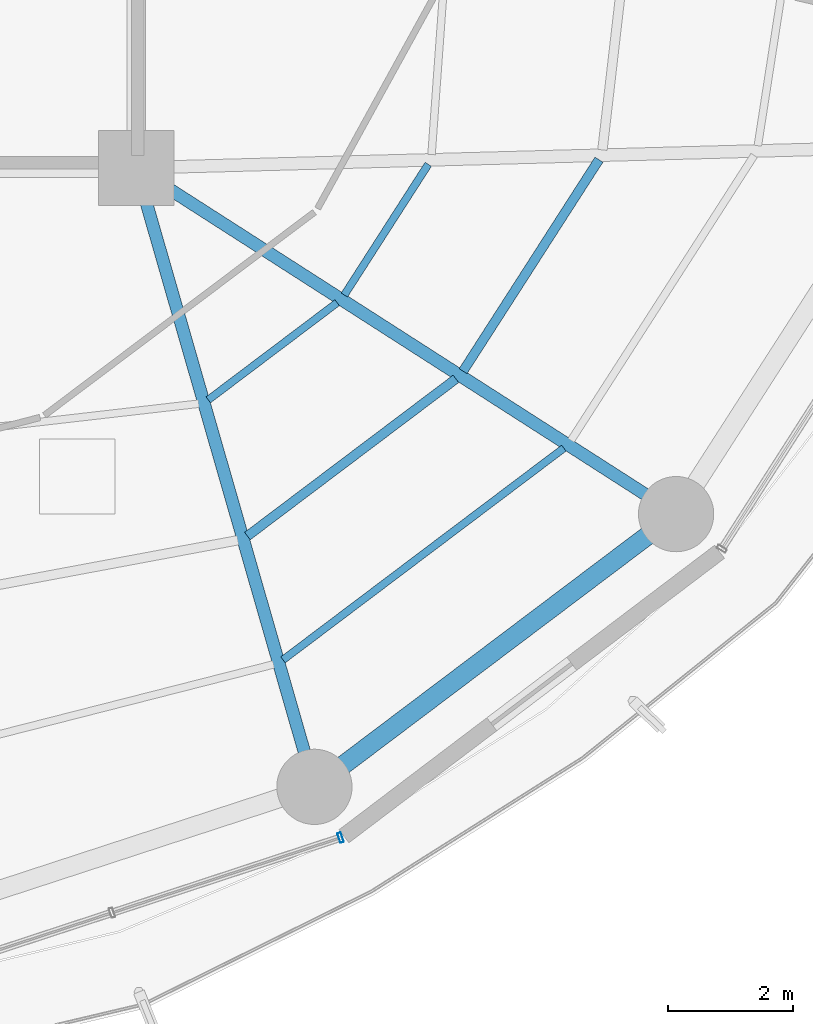
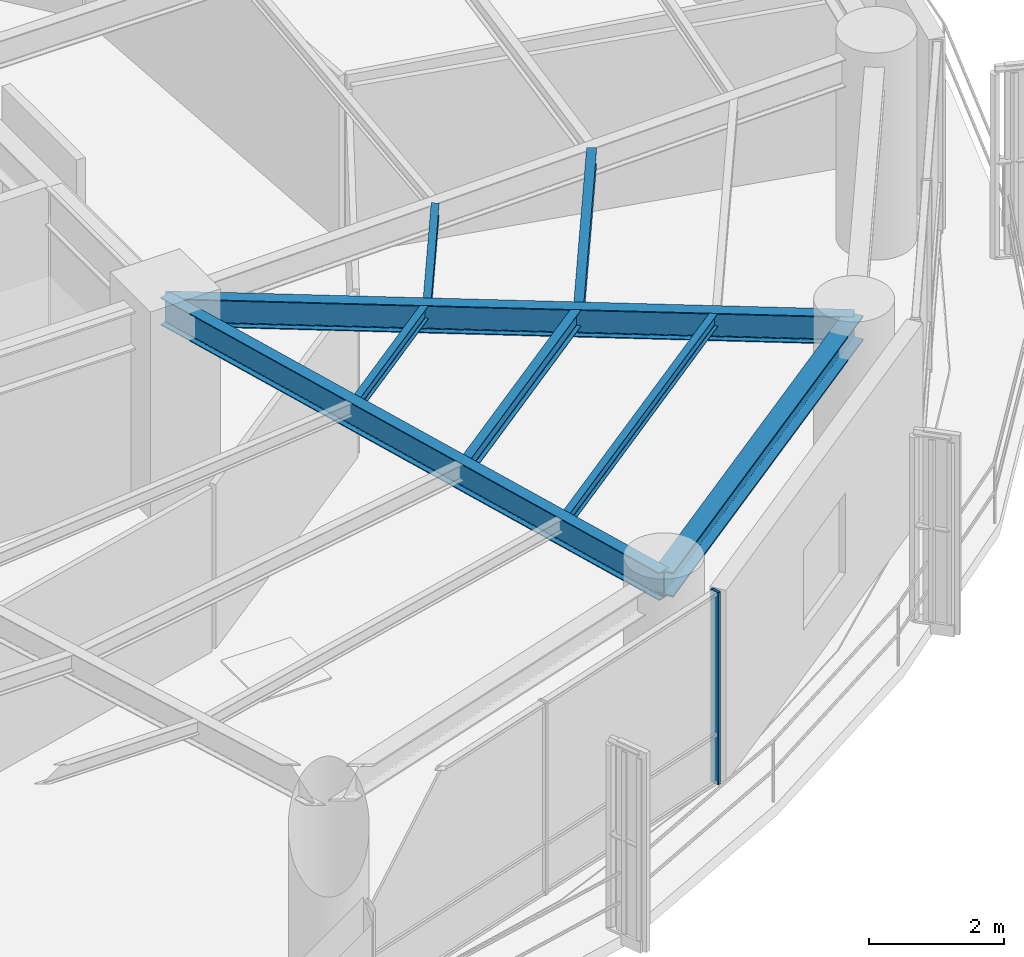
# One storey, part 10 of 27: 8 beams, 1 member, 1 element without a shape of its own.
"""IFC4 building model written with IfcOpenShell, lengths in metres."""

from ifc_helpers import new_model, si_unit, direction, frame, origin, origin_2d, place, context, subcontext, project, spatial, hollow_rectangle, i_section, extrude, material, layer, layer_set, material_profile, profile_set, type_object, element, aggregate, save


model = new_model("IFC4")

# Units and contexts
model_context = context("Model", 3, precision=1e-05, world=origin(), true_north=direction((0.0, 1.0)))
body_context = subcontext(model_context, "Body", "Model", "MODEL_VIEW")
ifc_project = project(units=[si_unit("LENGTHUNIT", "METRE"), si_unit("AREAUNIT", "SQUARE_METRE"), si_unit("VOLUMEUNIT", "CUBIC_METRE"), si_unit("PLANEANGLEUNIT", "RADIAN"), si_unit("MASSUNIT", "GRAM", prefix="KILO")], contexts=[model_context])

# Site, building, storey
site_placement = place(None, origin())
site = spatial("IfcSite", under=ifc_project, at=site_placement, CompositionType="ELEMENT")
building_placement = place(site_placement, origin())
building = spatial("IfcBuilding", under=site, at=building_placement, Name="Kelanora Arch Commons", CompositionType="ELEMENT")
storey_placement = place(building_placement, frame((0.0, 0.0, 154.35009765625)))
storey = spatial("IfcBuildingStorey", under=building, at=storey_placement, Name="L39", CompositionType="ELEMENT", Elevation=154.35009765625)

# Beams
ifc_material_1 = material(Name="Steel S355", Category="steel")
ifc_material_profile_1 = material_profile(ifc_material_1, i_section(OverallWidth=0.14990234375, OverallDepth=0.300048828125, WebThickness=0.007080078125, FlangeThickness=0.0107421875, FilletRadius=0.014892578125, at=origin_2d()), Name="IPE300")
ifc_profile_set_1 = profile_set([ifc_material_profile_1], Name="Steel S355")
beam_type_1 = type_object("IfcBeamType", Name="BM-JST-01", PredefinedType="JOIST", material=ifc_profile_set_1)
beam_1_placement = place(storey_placement, frame((83.77197265625, 45.129150390625, 3.33984375), z_axis=(0.798463547891, 0.602043156833, 0.0), x_axis=(-0.602043156833, 0.798463547891, 0.0)))
element("IfcBeam", 1, at=beam_1_placement, inside=storey, type_object=beam_type_1, Name="Secondary Chord Joist BJB-30 L39", PredefinedType="JOIST", context=body_context, shape_type="SweptSolid", body=[
    extrude(i_section(OverallWidth=0.14990234375, OverallDepth=0.300048828125, WebThickness=0.007080078125, FlangeThickness=0.0107421875, FilletRadius=0.014892578125, at=origin_2d()), origin(), (0.0, 0.0, 1.0), 4.163818359375),
])
beam_2_placement = place(storey_placement, frame((87.210693359375, 47.758544921875, 3.33984375), z_axis=(0.540594434398, 0.841283339606, 0.0), x_axis=(-0.841283339606, 0.540594434398, 0.0)))
element("IfcBeam", 2, at=beam_2_placement, inside=storey, type_object=beam_type_1, Name="Secondary Chord Joist BJB-32 L39", PredefinedType="JOIST", context=body_context, shape_type="SweptSolid", body=[
    extrude(i_section(OverallWidth=0.14990234375, OverallDepth=0.300048828125, WebThickness=0.007080078125, FlangeThickness=0.0107421875, FilletRadius=0.014892578125, at=origin_2d()), origin(), (0.0, 0.0, 1.0), 4.008544921875),
])
ifc_material_profile_2 = material_profile(ifc_material_1, i_section(OverallWidth=0.1201171875, OverallDepth=0.239990234375, WebThickness=0.006103515625, FlangeThickness=0.009765625, FilletRadius=0.014892578125, at=origin_2d()), Name="IPE240")
ifc_profile_set_2 = profile_set([ifc_material_profile_2], Name="Steel S355")
beam_type_2 = type_object("IfcBeamType", Name="BM-JST-02", PredefinedType="JOIST", material=ifc_profile_set_2)
beam_3_placement = place(storey_placement, frame((83.147216796875, 47.300537109375, 3.369873046875), z_axis=(0.798484118859, 0.602015873487, 0.0), x_axis=(-0.602015873487, 0.798484118859, 0.0)))
element("IfcBeam", 3, at=beam_3_placement, inside=storey, type_object=beam_type_2, Name="Secondary Chord Joist BJA-30 L39", PredefinedType="JOIST", context=body_context, shape_type="SweptSolid", body=[
    extrude(i_section(OverallWidth=0.1201171875, OverallDepth=0.239990234375, WebThickness=0.006103515625, FlangeThickness=0.009765625, FilletRadius=0.014892578125, at=origin_2d()), origin(), (0.0, 0.0, 1.0), 2.57470703125),
])
beam_4_placement = place(storey_placement, frame((84.33984375, 43.155029296875, 3.369873046875), z_axis=(0.798493128577, 0.602003923256, 0.0), x_axis=(-0.602003923256, 0.798493128577, 0.0)))
element("IfcBeam", 4, at=beam_4_placement, inside=storey, type_object=beam_type_2, Name="Secondary Chord Joist BJC-30 L39", PredefinedType="JOIST", context=body_context, shape_type="SweptSolid", body=[
    extrude(i_section(OverallWidth=0.1201171875, OverallDepth=0.239990234375, WebThickness=0.006103515625, FlangeThickness=0.009765625, FilletRadius=0.014892578125, at=origin_2d()), origin(), (0.0, 0.0, 1.0), 5.608642578125),
])
beam_5_placement = place(storey_placement, frame((85.31689453125, 48.973388671875, 3.369873046875), z_axis=(0.540583174025, 0.841290575224, 0.0), x_axis=(-0.841290575224, 0.540583174025, 0.0)))
element("IfcBeam", 5, at=beam_5_placement, inside=storey, type_object=beam_type_2, Name="Secondary Chord Joist BJA-32 L39", PredefinedType="JOIST", context=body_context, shape_type="SweptSolid", body=[
    extrude(i_section(OverallWidth=0.1201171875, OverallDepth=0.239990234375, WebThickness=0.006103515625, FlangeThickness=0.009765625, FilletRadius=0.014892578125, at=origin_2d()), origin(), (0.0, 0.0, 1.0), 2.476318359375),
])
ifc_material_profile_3 = material_profile(ifc_material_1, i_section(OverallWidth=0.199951171875, OverallDepth=0.5, WebThickness=0.01025390625, FlangeThickness=0.01611328125, FilletRadius=0.02099609375, at=origin_2d()), Name="IPE500")
ifc_profile_set_3 = profile_set([ifc_material_profile_3], Name="Steel S355")
beam_type_3 = type_object("IfcBeamType", Name="BM-RAD-Z3", PredefinedType="BEAM", material=ifc_profile_set_3)
beam_6_placement = place(storey_placement, frame((82.0, 51.0, 3.239990234375), z_axis=(0.276525880065, -0.961006471182, 0.0), x_axis=(0.961006471182, 0.276525880065, 0.0)))
element("IfcBeam", 6, at=beam_6_placement, inside=storey, type_object=beam_type_3, Name="Radial Floor Girder BR-30 L39", PredefinedType="BEAM", context=body_context, shape_type="SweptSolid", body=[
    extrude(i_section(OverallWidth=0.199951171875, OverallDepth=0.5, WebThickness=0.01025390625, FlangeThickness=0.01611328125, FilletRadius=0.02099609375, at=origin_2d()), origin(), (0.0, 0.0, 1.0), 10.2705078125),
])
beam_7_placement = place(storey_placement, frame((82.0, 51.0, 3.239990234375), z_axis=(0.841719465748, -0.539915123868, 0.0), x_axis=(0.539915123868, 0.841719465748, 0.0)))
element("IfcBeam", 7, at=beam_7_placement, inside=storey, type_object=beam_type_3, Name="Radial Floor Girder BR-32 L39", PredefinedType="BEAM", context=body_context, shape_type="SweptSolid", body=[
    extrude(i_section(OverallWidth=0.199951171875, OverallDepth=0.5, WebThickness=0.01025390625, FlangeThickness=0.01611328125, FilletRadius=0.02099609375, at=origin_2d()), origin(), (0.0, 0.0, 1.0), 10.2265625),
])
ifc_material_profile_4 = material_profile(ifc_material_1, i_section(OverallWidth=0.300048828125, OverallDepth=0.449951171875, WebThickness=0.013916015625, FlangeThickness=0.02587890625, FilletRadius=0.027099609375, at=origin_2d()), Name="HEB450")
ifc_profile_set_4 = profile_set([ifc_material_profile_4], Name="Steel S355")
beam_type_4 = type_object("IfcBeamType", Name="BM-SPN-Z3", PredefinedType="SPANDREL", material=ifc_profile_set_4)
beam_8_placement = place(storey_placement, frame((84.840087890625, 41.1298828125, 3.264892578125), z_axis=(0.798484645564, 0.60201517489, 0.0), x_axis=(-0.60201517489, 0.798484645564, 0.0)))
element("IfcBeam", 8, at=beam_8_placement, inside=storey, type_object=beam_type_4, Name="Perimeter Spandrel Beam BS-30 L39", PredefinedType="SPANDREL", context=body_context, shape_type="SweptSolid", body=[
    extrude(i_section(OverallWidth=0.300048828125, OverallDepth=0.449951171875, WebThickness=0.013916015625, FlangeThickness=0.02587890625, FilletRadius=0.027099609375, at=origin_2d()), origin(), (0.0, 0.0, 1.0), 7.223388671875),
])

# Curtain wall, member
ifc_material_2 = material(Name="Terracotta ceramic-fritted low-E glass and aluminium", Category="masonry")
ifc_layer = layer(ifc_material_2, 0.175048828125)
ifc_layer_set = layer_set([ifc_layer], Name="Terracotta ceramic-fritted low-E glass and aluminium")
curtain_wall_type = type_object("IfcCurtainWallType", Name="CW-SYS-02", PredefinedType="NOTDEFINED", material=ifc_layer_set)
curtain_wall_placement = place(storey_placement, origin())
curtain_wall = element("IfcCurtainWall", 9, at=curtain_wall_placement, inside=storey, type_object=curtain_wall_type, Name="Unitised Curtain Wall L39-B14", PredefinedType="NOTDEFINED")
ifc_material_3 = material(Name="Powder-coated aluminium terracotta", Category="masonry")
ifc_material_profile_5 = material_profile(ifc_material_3, hollow_rectangle(XDim=0.159912109375, YDim=0.06005859375, WallThickness=0.0048828125, InnerFilletRadius=0.0048828125, OuterFilletRadius=0.010009765625, at=origin_2d()), Name="CWM160x60")
ifc_profile_set_5 = profile_set([ifc_material_profile_5], Name="Powder-coated aluminium terracotta")
member_type = type_object("IfcMemberType", Name="CWM-STD", PredefinedType="MULLION", material=ifc_profile_set_5)
member_placement = place(storey_placement, frame((85.257080078125, 40.319091796875, 0.0), z_axis=(0.0, 0.0, 1.0), x_axis=(-0.312128279571, 0.95003996605, 0.0)))
member = element("IfcMember", 10, at=member_placement, type_object=member_type, Name="CW-02 mullion 3", PredefinedType="MULLION", context=body_context, shape_type="SweptSolid", body=[
    extrude(hollow_rectangle(XDim=0.159912109375, YDim=0.06005859375, WallThickness=0.0048828125, InnerFilletRadius=0.0048828125, OuterFilletRadius=0.010009765625, at=origin_2d()), origin(), (0.0, 0.0, 1.0), 3.474853515625),
])
aggregate(curtain_wall, [member])

save(model, "model.ifc")
